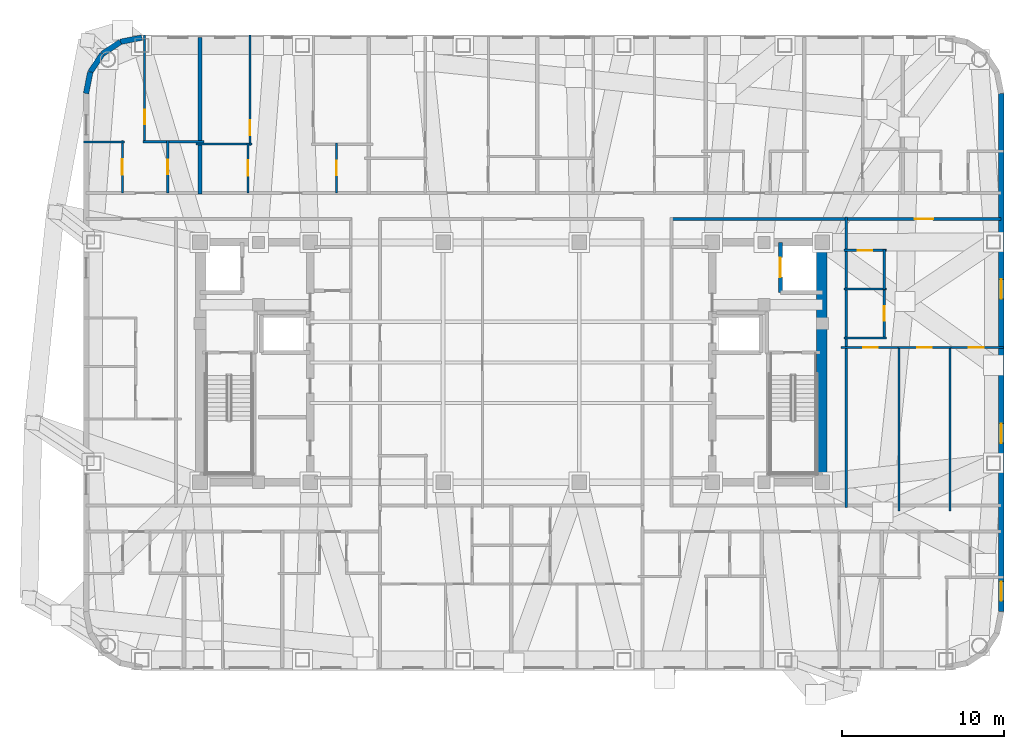
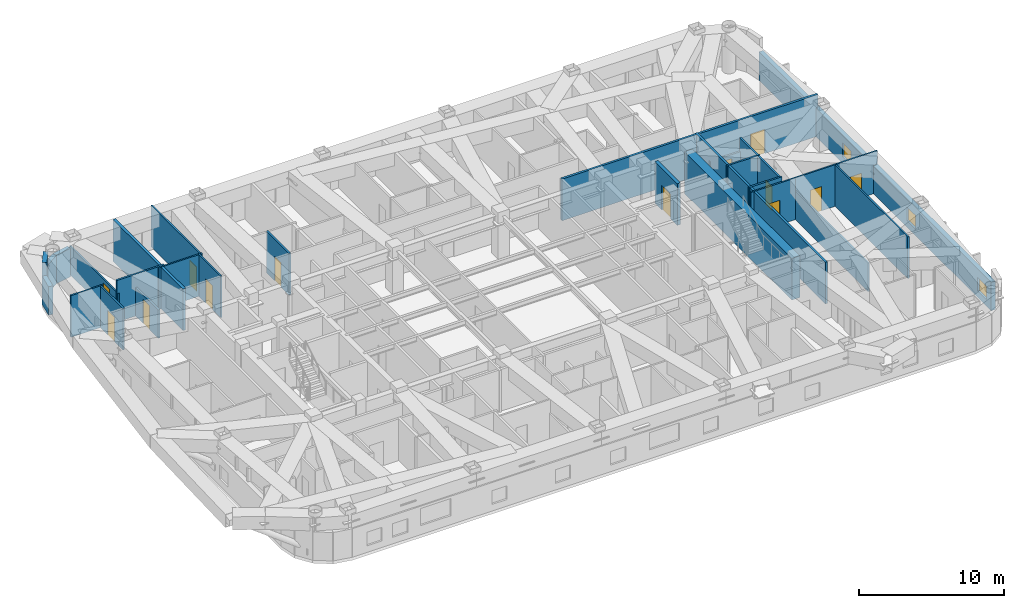
# One storey, part 8 of 12: 29 walls, 13 doors, 3 windows, 16 openings.
"""IFC4 building model written with IfcOpenShell, lengths in metres."""

from ifc_helpers import new_model, si_unit, direction, frame, frame_2d, origin, place, context, subcontext, project, spatial, rectangle, extrude, material, layer, layer_set, type_object, element, fill, save


model = new_model("IFC4")

# Units and contexts
model_context = context("Model", 3, precision=1e-05, world=origin(), true_north=direction((0.0, 1.0)))
body_context = subcontext(model_context, "Body", "Model", "MODEL_VIEW")
ifc_project = project(units=[si_unit("LENGTHUNIT", "METRE"), si_unit("AREAUNIT", "SQUARE_METRE"), si_unit("VOLUMEUNIT", "CUBIC_METRE"), si_unit("PLANEANGLEUNIT", "RADIAN"), si_unit("MASSUNIT", "GRAM", prefix="KILO")], contexts=[model_context])

# Site, building, storey
site_placement = place(None, origin())
site = spatial("IfcSite", under=ifc_project, at=site_placement, CompositionType="ELEMENT")
building_placement = place(site_placement, origin())
building = spatial("IfcBuilding", under=site, at=building_placement, Name="Voryun Gate Residences", CompositionType="ELEMENT")
storey_placement = place(building_placement, frame((0.0, 0.0, 250.89990234375)))
storey = spatial("IfcBuildingStorey", under=building, at=storey_placement, Name="L62", CompositionType="ELEMENT", Elevation=250.89990234375)

# Wall
ifc_material_1 = material(Name="Concrete C60/75", Category="concrete")
ifc_layer_1 = layer(ifc_material_1, 0.64990234375, Name="CW_CORE_650")
ifc_layer_set_1 = layer_set([ifc_layer_1], Name="Concrete C60/75")
wall_type_1 = type_object("IfcWallType", Name="CW_CORE_650", PredefinedType="SHEAR", material=ifc_layer_set_1)
wall_1_placement = place(storey_placement, frame((19.14501953125, -7.39990234375, 0.0), z_axis=(0.0, 0.0, 1.0), x_axis=(0.0, 1.0, 0.0)))
element("IfcWall", 1, at=wall_1_placement, inside=storey, type_object=wall_type_1, Name="L62 Core shear wall CW-L62-EE", PredefinedType="SHEAR", context=body_context, shape_type="SweptSolid", body=[
    extrude(rectangle(XDim=14.7998046875, YDim=0.64990234375, at=frame_2d((7.39990234375, 0.0))), origin(), (0.0, 0.0, 1.0), 3.5),
])

# Wall, opening, door
ifc_material_2 = material(Name="Gypsum acoustic fireboard")
ifc_layer_2 = layer(ifc_material_2, 0.179931640625, Name="W_CORR_RATED_180")
ifc_layer_set_2 = layer_set([ifc_layer_2], Name="Gypsum acoustic fireboard")
wall_type_2 = type_object("IfcWallType", Name="W_CORR_RATED_180", PredefinedType="PARTITIONING", material=ifc_layer_set_2)
wall_2_placement = place(storey_placement, frame((9.8798828125, 8.840087890625, 0.0), z_axis=(0.0, 0.0, 1.0), x_axis=(1.0, 0.0, 0.0)))
wall_2 = element("IfcWall", 2, at=wall_2_placement, inside=storey, type_object=wall_type_2, Name="Partition wall WP-L62-CWING-EN", PredefinedType="PARTITIONING", context=body_context, shape_type="SweptSolid", body=[
    extrude(rectangle(XDim=20.35009765625, YDim=0.179931640625, at=frame_2d((10.175048828125, 0.0))), origin(), (0.0, 0.0, 1.0), 3.5),
])
opening_1_placement = place(wall_2_placement, frame((15.0009765625, 0.0, 0.0)))
opening_1 = element("IfcOpeningElement", 3, at=opening_1_placement, cuts=wall_2, Name="Opening D-UNIT-1", PredefinedType="OPENING", context=body_context, shape_type="SweptSolid", body=[
    extrude(rectangle(XDim=1.14990234375, YDim=2.050048828125, at=frame_2d((0.574951171875, 1.02490234375))), frame((0.0, 0.099853515625, 0.0), z_axis=(0.0, -1.0, 0.0), x_axis=(1.0, 0.0, 0.0)), (0.0, 0.0, 1.0), 0.199951171875),
])
ifc_material_3 = material(Name="Armoured timber-clad fire door", Category="wood")
door_type_1 = type_object("IfcDoorType", Name="DR_UNIT_ENTRY_1150", OperationType="NOTDEFINED", PredefinedType="DOOR", material=ifc_material_3)
door_1_placement = place(opening_1_placement, origin())
door_1 = element("IfcDoor", 4, at=door_1_placement, inside=storey, type_object=door_type_1, Name="Door DR-L62-EE1N", OperationType="SINGLE_SWING_LEFT", OverallHeight=2.050048828125, OverallWidth=1.14990234375, PredefinedType="DOOR", context=body_context, shape_type="SweptSolid", body=[
    extrude(rectangle(XDim=1.14990234375, YDim=2.050048828125, at=frame_2d((0.574951171875, 1.02490234375))), frame((0.0, 0.02490234375, 0.0), z_axis=(0.0, -1.0, 0.0), x_axis=(1.0, 0.0, 0.0)), (0.0, 0.0, 1.0), 0.050048828125),
])
fill(opening_1, door_1)

# Walls
wall_3_placement = place(storey_placement, frame((20.669921875, -8.9599609375, 0.0), z_axis=(0.0, 0.0, 1.0), x_axis=(0.0, 1.0, 0.0)))
element("IfcWall", 5, at=wall_3_placement, inside=storey, type_object=wall_type_2, Name="Partition wall WP-L62-ECOR", PredefinedType="PARTITIONING", context=body_context, shape_type="SweptSolid", body=[
    extrude(rectangle(XDim=17.919921875, YDim=0.179931640625, at=frame_2d((8.9599609375, 0.0))), origin(), (0.0, 0.0, 1.0), 3.5),
])
ifc_material_4 = material(Name="Charcoal terracotta masonry", Category="masonry")
ifc_layer_3 = layer(ifc_material_4, 0.340087890625, Name="W_EXT_TERRACOTTA_340")
ifc_layer_set_3 = layer_set([ifc_layer_3], Name="Charcoal terracotta masonry")
wall_type_3 = type_object("IfcWallType", Name="W_EXT_TERRACOTTA_340", PredefinedType="ELEMENTEDWALL", material=ifc_layer_set_3)
wall_4_placement = place(storey_placement, frame((-26.22998046875, 16.583251953125, 0.0), z_axis=(0.0, 0.0, 1.0), x_axis=(0.195075878998, 0.980788153188, 0.0)))
element("IfcWall", 6, at=wall_4_placement, inside=storey, type_object=wall_type_3, Name="Exterior wall WEXT-L62-07", PredefinedType="ELEMENTEDWALL", context=body_context, shape_type="SweptSolid", body=[
    extrude(rectangle(XDim=1.354248046875, YDim=0.340087890625, at=frame_2d((0.67724609375, 0.0))), origin(), (0.0, 0.0, 1.0), 2.39013671875),
])
wall_5_placement = place(storey_placement, frame((-25.9658203125, 17.911376953125, 0.0), z_axis=(0.0, 0.0, 1.0), x_axis=(0.555669034571, 0.831403586725, 0.0)))
element("IfcWall", 7, at=wall_5_placement, inside=storey, type_object=wall_type_3, Name="Exterior wall WEXT-L62-08", PredefinedType="ELEMENTEDWALL", context=body_context, shape_type="SweptSolid", body=[
    extrude(rectangle(XDim=1.3369140625, YDim=0.340087890625, at=frame_2d((0.66845703125, 0.0))), origin(), (0.0, 0.0, 1.0), 3.5),
])
wall_6_placement = place(storey_placement, frame((-25.222900390625, 19.02294921875, 0.0), z_axis=(0.0, 0.0, 1.0), x_axis=(0.831403586725, 0.555669034571, 0.0)))
element("IfcWall", 8, at=wall_6_placement, inside=storey, type_object=wall_type_3, Name="Exterior wall WEXT-L62-09", PredefinedType="ELEMENTEDWALL", context=body_context, shape_type="SweptSolid", body=[
    extrude(rectangle(XDim=1.3369140625, YDim=0.340087890625, at=frame_2d((0.66845703125, 0.0))), origin(), (0.0, 0.0, 1.0), 2.39013671875),
])
wall_7_placement = place(storey_placement, frame((-24.111328125, 19.765869140625, 0.0), z_axis=(0.0, 0.0, 1.0), x_axis=(0.980788153188, 0.195075878998, 0.0)))
element("IfcWall", 9, at=wall_7_placement, inside=storey, type_object=wall_type_3, Name="Exterior wall WEXT-L62-10", PredefinedType="ELEMENTEDWALL", context=body_context, shape_type="SweptSolid", body=[
    extrude(rectangle(XDim=1.354248046875, YDim=0.340087890625, at=frame_2d((0.67724609375, 0.0))), origin(), (0.0, 0.0, 1.0), 2.39013671875),
])

# Wall, openings, windows
wall_8_placement = place(storey_placement, frame((30.22998046875, 16.583251953125, 0.0), z_axis=(0.0, 0.0, 1.0), x_axis=(0.0, -1.0, 0.0)))
wall_8 = element("IfcWall", 10, at=wall_8_placement, inside=storey, type_object=wall_type_3, Name="Exterior wall WEXT-L62-16", PredefinedType="ELEMENTEDWALL", context=body_context, shape_type="SweptSolid", body=[
    extrude(rectangle(XDim=31.966552734375, YDim=0.340087890625, at=frame_2d((15.9833984375, 0.0))), origin(), (0.0, 0.0, 1.0), 2.39013671875),
])
opening_2_placement = place(wall_8_placement, frame((30.1064453125, 0.0, 0.550048828125)))
opening_2 = element("IfcOpeningElement", 11, at=opening_2_placement, cuts=wall_8, Name="Opening WN6", PredefinedType="OPENING", context=body_context, shape_type="SweptSolid", body=[
    extrude(rectangle(XDim=1.199951171875, YDim=1.14990234375, at=frame_2d((0.60009765625, 0.574951171875))), frame((0.0, 0.179931640625, 0.0), z_axis=(0.0, -1.0, 0.0), x_axis=(1.0, 0.0, 0.0)), (0.0, 0.0, 1.0), 0.360107421875),
])
opening_3_placement = place(wall_8_placement, frame((11.46337890625, 0.0, 0.550048828125)))
opening_3 = element("IfcOpeningElement", 12, at=opening_3_placement, cuts=wall_8, Name="Opening WN6", PredefinedType="OPENING", context=body_context, shape_type="SweptSolid", body=[
    extrude(rectangle(XDim=1.199951171875, YDim=1.14990234375, at=frame_2d((0.60009765625, 0.574951171875))), frame((0.0, 0.179931640625, 0.0), z_axis=(0.0, -1.0, 0.0), x_axis=(1.0, 0.0, 0.0)), (0.0, 0.0, 1.0), 0.360107421875),
])
opening_4_placement = place(wall_8_placement, frame((20.36328125, 0.0, 0.550048828125)))
opening_4 = element("IfcOpeningElement", 13, at=opening_4_placement, cuts=wall_8, Name="Opening WN6", PredefinedType="OPENING", context=body_context, shape_type="SweptSolid", body=[
    extrude(rectangle(XDim=1.199951171875, YDim=1.14990234375, at=frame_2d((0.60009765625, 0.574951171875))), frame((0.0, 0.179931640625, 0.0), z_axis=(0.0, -1.0, 0.0), x_axis=(1.0, 0.0, 0.0)), (0.0, 0.0, 1.0), 0.360107421875),
])
ifc_material_5 = material(Name="Laminated low-E glass", Category="glass")
window_type = type_object("IfcWindowType", Name="WN_POD_SLOT_1200", PartitioningType="SINGLE_PANEL", PredefinedType="WINDOW", material=ifc_material_5)
window_1_placement = place(opening_2_placement, origin())
window_1 = element("IfcWindow", 14, at=window_1_placement, inside=storey, type_object=window_type, Name="Window WN-L62-DWFIX-22", OverallHeight=1.14990234375, OverallWidth=1.199951171875, PartitioningType="SINGLE_PANEL", PredefinedType="WINDOW", context=body_context, shape_type="SweptSolid", body=[
    extrude(rectangle(XDim=1.199951171875, YDim=1.14990234375, at=frame_2d((0.60009765625, 0.574951171875))), frame((0.0, 0.030029296875, 0.0), z_axis=(0.0, -1.0, 0.0), x_axis=(1.0, 0.0, 0.0)), (0.0, 0.0, 1.0), 0.06005859375),
])
fill(opening_2, window_1)
window_2_placement = place(opening_3_placement, origin())
window_2 = element("IfcWindow", 15, at=window_2_placement, inside=storey, type_object=window_type, Name="Window WN-L62-DWFIX-28", OverallHeight=1.14990234375, OverallWidth=1.199951171875, PartitioningType="SINGLE_PANEL", PredefinedType="WINDOW", context=body_context, shape_type="SweptSolid", body=[
    extrude(rectangle(XDim=1.199951171875, YDim=1.14990234375, at=frame_2d((0.60009765625, 0.574951171875))), frame((0.0, 0.030029296875, 0.0), z_axis=(0.0, -1.0, 0.0), x_axis=(1.0, 0.0, 0.0)), (0.0, 0.0, 1.0), 0.06005859375),
])
fill(opening_3, window_2)
window_3_placement = place(opening_4_placement, origin())
window_3 = element("IfcWindow", 16, at=window_3_placement, inside=storey, type_object=window_type, Name="Window WN-L62-DWFIX-29", OverallHeight=1.14990234375, OverallWidth=1.199951171875, PartitioningType="SINGLE_PANEL", PredefinedType="WINDOW", context=body_context, shape_type="SweptSolid", body=[
    extrude(rectangle(XDim=1.199951171875, YDim=1.14990234375, at=frame_2d((0.60009765625, 0.574951171875))), frame((0.0, 0.030029296875, 0.0), z_axis=(0.0, -1.0, 0.0), x_axis=(1.0, 0.0, 0.0)), (0.0, 0.0, 1.0), 0.06005859375),
])
fill(opening_4, window_3)

# Wall
ifc_material_6 = material(Name="Concrete C40/50", Category="concrete")
ifc_layer_4 = layer(ifc_material_6, 0.219970703125, Name="W_PARTY_ACOUSTIC_220")
ifc_layer_set_4 = layer_set([ifc_layer_4], Name="Concrete C40/50")
wall_type_4 = type_object("IfcWallType", Name="W_PARTY_ACOUSTIC_220", PredefinedType="PARTITIONING", material=ifc_layer_set_4)
wall_9_placement = place(storey_placement, frame((-19.199951171875, 10.3701171875, 0.0), z_axis=(0.0, 0.0, 1.0), x_axis=(0.0, 1.0, 0.0)))
element("IfcWall", 17, at=wall_9_placement, inside=storey, type_object=wall_type_4, Name="Partition wall WP-L62-NPTY-1", PredefinedType="PARTITIONING", context=body_context, shape_type="SweptSolid", body=[
    extrude(rectangle(XDim=9.659912109375, YDim=0.219970703125, at=frame_2d((4.830078125, 0.0))), origin(), (0.0, 0.0, 1.0), 3.5),
])

# Wall, opening, door
ifc_material_7 = material(Name="Concrete C50/60", Category="concrete")
ifc_layer_5 = layer(ifc_material_7, 0.25, Name="W_SHAFT_RC250")
ifc_layer_set_5 = layer_set([ifc_layer_5], Name="Concrete C50/60")
wall_type_5 = type_object("IfcWallType", Name="W_SHAFT_RC250", PredefinedType="SOLIDWALL", material=ifc_layer_set_5)
wall_10_placement = place(storey_placement, frame((16.60009765625, 7.39990234375, 0.0), z_axis=(0.0, 0.0, 1.0), x_axis=(0.0, -1.0, 0.0)))
wall_10 = element("IfcWall", 18, at=wall_10_placement, inside=storey, type_object=wall_type_5, Name="Lift shaft wall WSH-L62-EL-FF-E1-W", PredefinedType="SOLIDWALL", context=body_context, shape_type="SweptSolid", body=[
    extrude(rectangle(XDim=3.099853515625, YDim=0.25, at=frame_2d((1.5498046875, 0.0))), origin(), (0.0, 0.0, 1.0), 3.5),
])
opening_5_placement = place(wall_10_placement, frame((0.949951171875, 0.0, 0.0)))
opening_5 = element("IfcOpeningElement", 19, at=opening_5_placement, cuts=wall_10, Name="Opening LD1", PredefinedType="OPENING", context=body_context, shape_type="SweptSolid", body=[
    extrude(rectangle(XDim=1.199951171875, YDim=2.050048828125, at=frame_2d((0.60009765625, 1.02490234375))), frame((0.0, 0.135009765625, 0.0), z_axis=(0.0, -1.0, 0.0), x_axis=(1.0, 0.0, 0.0)), (0.0, 0.0, 1.0), 0.27001953125),
])
ifc_material_8 = material(Name="Anodised aluminium", Category="aluminium")
door_type_2 = type_object("IfcDoorType", Name="DR_LD_FF_1200", OperationType="NOTDEFINED", PredefinedType="DOOR", material=ifc_material_8)
door_2_placement = place(opening_5_placement, origin())
door_2 = element("IfcDoor", 20, at=door_2_placement, inside=storey, type_object=door_type_2, Name="Lift EL-FF-E1 sliding landing door L62", OperationType="SLIDING_TO_LEFT", OverallHeight=2.050048828125, OverallWidth=1.199951171875, PredefinedType="DOOR", context=body_context, shape_type="SweptSolid", body=[
    extrude(rectangle(XDim=1.199951171875, YDim=2.050048828125, at=frame_2d((0.60009765625, 1.02490234375))), frame((0.0, 0.02490234375, 0.0), z_axis=(0.0, -1.0, 0.0), x_axis=(1.0, 0.0, 0.0)), (0.0, 0.0, 1.0), 0.050048828125),
])
fill(opening_5, door_2)

ifc_material_9 = material(Name="Gypsum acoustic partition")
ifc_layer_6 = layer(ifc_material_9, 0.125, Name="W_UNIT_PART_125")
ifc_layer_set_6 = layer_set([ifc_layer_6], Name="Gypsum acoustic partition")
wall_type_6 = type_object("IfcWallType", Name="W_UNIT_PART_125", PredefinedType="PARTITIONING", material=ifc_layer_set_6)
wall_11_placement = place(storey_placement, frame((-22.610107421875, 13.52294921875, 0.0), z_axis=(0.0, 0.0, 1.0), x_axis=(0.0, 1.0, 0.0)))
wall_11 = element("IfcWall", 21, at=wall_11_placement, inside=storey, type_object=wall_type_6, Name="Partition wall WP-L62-N1-OVR", PredefinedType="PARTITIONING", context=body_context, shape_type="SweptSolid", body=[
    extrude(rectangle(XDim=6.656982421875, YDim=0.125, at=frame_2d((3.32861328125, 0.0))), origin(), (0.0, 0.0, 1.0), 2.39013671875),
])
opening_6_placement = place(wall_11_placement, frame((1.147705078125, 0.0, 0.0)))
opening_6 = element("IfcOpeningElement", 22, at=opening_6_placement, cuts=wall_11, Name="Opening D-INT-2", PredefinedType="OPENING", context=body_context, shape_type="SweptSolid", body=[
    extrude(rectangle(XDim=0.89990234375, YDim=2.050048828125, at=frame_2d((0.449951171875, 1.02490234375))), frame((0.0, 0.072509765625, 0.0), z_axis=(0.0, -1.0, 0.0), x_axis=(1.0, 0.0, 0.0)), (0.0, 0.0, 1.0), 0.14501953125),
])
ifc_material_10 = material(Name="Architectural oak veneer")
door_type_3 = type_object("IfcDoorType", Name="DR_INT_BATH_900", OperationType="NOTDEFINED", PredefinedType="DOOR", material=ifc_material_10)
door_3_placement = place(opening_6_placement, origin())
door_3 = element("IfcDoor", 23, at=door_3_placement, inside=storey, type_object=door_type_3, Name="Door DR-L62-N1-DMB", OperationType="SINGLE_SWING_RIGHT", OverallHeight=2.050048828125, OverallWidth=0.89990234375, PredefinedType="DOOR", context=body_context, shape_type="SweptSolid", body=[
    extrude(rectangle(XDim=0.89990234375, YDim=2.050048828125, at=frame_2d((0.449951171875, 1.02490234375))), frame((0.0, 0.02490234375, 0.0), z_axis=(0.0, -1.0, 0.0), x_axis=(1.0, 0.0, 0.0)), (0.0, 0.0, 1.0), 0.050048828125),
])
fill(opening_6, door_3)

wall_12_placement = place(storey_placement, frame((-23.987060546875, 10.429931640625, 0.0), z_axis=(0.0, 0.0, 1.0), x_axis=(0.0, 1.0, 0.0)))
wall_12 = element("IfcWall", 24, at=wall_12_placement, inside=storey, type_object=wall_type_6, Name="Partition wall WP-L62-N1-IVK", PredefinedType="PARTITIONING", context=body_context, shape_type="SweptSolid", body=[
    extrude(rectangle(XDim=3.253173828125, YDim=0.125, at=frame_2d((1.62646484375, 0.0))), origin(), (0.0, 0.0, 1.0), 3.5),
])
opening_7_placement = place(wall_12_placement, frame((1.151611328125, 0.0, 0.0)))
opening_7 = element("IfcOpeningElement", 25, at=opening_7_placement, cuts=wall_12, Name="Opening D-INT-1", PredefinedType="OPENING", context=body_context, shape_type="SweptSolid", body=[
    extrude(rectangle(XDim=0.949951171875, YDim=2.050048828125, at=frame_2d((0.47509765625, 1.02490234375))), frame((0.0, 0.072509765625, 0.0), z_axis=(0.0, -1.0, 0.0), x_axis=(1.0, 0.0, 0.0)), (0.0, 0.0, 1.0), 0.14501953125),
])
ifc_material_11 = material(Name="Architectural oak veneer")
door_type_4 = type_object("IfcDoorType", Name="DR_INT_ROOM_950", OperationType="NOTDEFINED", PredefinedType="DOOR", material=ifc_material_11)
door_4_placement = place(opening_7_placement, origin())
door_4 = element("IfcDoor", 26, at=door_4_placement, inside=storey, type_object=door_type_4, Name="Door DR-L62-N1-DK", OperationType="SINGLE_SWING_LEFT", OverallHeight=2.050048828125, OverallWidth=0.949951171875, PredefinedType="DOOR", context=body_context, shape_type="SweptSolid", body=[
    extrude(rectangle(XDim=0.949951171875, YDim=2.050048828125, at=frame_2d((0.47509765625, 1.02490234375))), frame((0.0, 0.02490234375, 0.0), z_axis=(0.0, -1.0, 0.0), x_axis=(1.0, 0.0, 0.0)), (0.0, 0.0, 1.0), 0.050048828125),
])
fill(opening_7, door_4)

# Wall
wall_13_placement = place(storey_placement, frame((-26.3798828125, 13.60302734375, 0.0), z_axis=(0.0, 0.0, 1.0), x_axis=(1.0, 0.0, 0.0)))
element("IfcWall", 27, at=wall_13_placement, inside=storey, type_object=wall_type_6, Name="Partition wall WP-L62-N1-HZK", PredefinedType="PARTITIONING", context=body_context, shape_type="SweptSolid", body=[
    extrude(rectangle(XDim=2.512939453125, YDim=0.125, at=frame_2d((1.25634765625, 0.0))), origin(), (0.0, 0.0, 1.0), 3.5),
])

# Wall, opening, door
wall_14_placement = place(storey_placement, frame((-16.117919921875, 13.3798828125, 0.0), z_axis=(0.0, 0.0, 1.0), x_axis=(0.0, 1.0, 0.0)))
wall_14 = element("IfcWall", 28, at=wall_14_placement, inside=storey, type_object=wall_type_6, Name="Partition wall WP-L62-N2-OVL", PredefinedType="PARTITIONING", context=body_context, shape_type="SweptSolid", body=[
    extrude(rectangle(XDim=6.800048828125, YDim=0.125, at=frame_2d((3.39990234375, 0.0))), origin(), (0.0, 0.0, 1.0), 3.5),
])
opening_8_placement = place(wall_14_placement, frame((0.613037109375, 0.0, 0.0)))
opening_8 = element("IfcOpeningElement", 29, at=opening_8_placement, cuts=wall_14, Name="Opening D-INT-1", PredefinedType="OPENING", context=body_context, shape_type="SweptSolid", body=[
    extrude(rectangle(XDim=0.949951171875, YDim=2.050048828125, at=frame_2d((0.47509765625, 1.02490234375))), frame((0.0, 0.072509765625, 0.0), z_axis=(0.0, -1.0, 0.0), x_axis=(1.0, 0.0, 0.0)), (0.0, 0.0, 1.0), 0.14501953125),
])
door_5_placement = place(opening_8_placement, origin())
door_5 = element("IfcDoor", 30, at=door_5_placement, inside=storey, type_object=door_type_4, Name="Door DR-L62-N2-DB2", OperationType="SINGLE_SWING_LEFT", OverallHeight=2.050048828125, OverallWidth=0.949951171875, PredefinedType="DOOR", context=body_context, shape_type="SweptSolid", body=[
    extrude(rectangle(XDim=0.949951171875, YDim=2.050048828125, at=frame_2d((0.47509765625, 1.02490234375))), frame((0.0, 0.02490234375, 0.0), z_axis=(0.0, -1.0, 0.0), x_axis=(1.0, 0.0, 0.0)), (0.0, 0.0, 1.0), 0.050048828125),
])
fill(opening_8, door_5)

wall_15_placement = place(storey_placement, frame((-16.240966796875, 10.429931640625, 0.0), z_axis=(0.0, 0.0, 1.0), x_axis=(0.0, 1.0, 0.0)))
wall_15 = element("IfcWall", 31, at=wall_15_placement, inside=storey, type_object=wall_type_6, Name="Partition wall WP-L62-N2-IVK", PredefinedType="PARTITIONING", context=body_context, shape_type="SweptSolid", body=[
    extrude(rectangle(XDim=3.110107421875, YDim=0.125, at=frame_2d((1.55517578125, 0.0))), origin(), (0.0, 0.0, 1.0), 3.5),
])
opening_9_placement = place(wall_15_placement, frame((1.080078125, 0.0, 0.0)))
opening_9 = element("IfcOpeningElement", 32, at=opening_9_placement, cuts=wall_15, Name="Opening D-INT-1", PredefinedType="OPENING", context=body_context, shape_type="SweptSolid", body=[
    extrude(rectangle(XDim=0.949951171875, YDim=2.050048828125, at=frame_2d((0.47509765625, 1.02490234375))), frame((0.0, 0.072509765625, 0.0), z_axis=(0.0, -1.0, 0.0), x_axis=(1.0, 0.0, 0.0)), (0.0, 0.0, 1.0), 0.14501953125),
])
door_6_placement = place(opening_9_placement, origin())
door_6 = element("IfcDoor", 33, at=door_6_placement, inside=storey, type_object=door_type_4, Name="Door DR-L62-N2-DK", OperationType="SINGLE_SWING_LEFT", OverallHeight=2.050048828125, OverallWidth=0.949951171875, PredefinedType="DOOR", context=body_context, shape_type="SweptSolid", body=[
    extrude(rectangle(XDim=0.949951171875, YDim=2.050048828125, at=frame_2d((0.47509765625, 1.02490234375))), frame((0.0, 0.02490234375, 0.0), z_axis=(0.0, -1.0, 0.0), x_axis=(1.0, 0.0, 0.0)), (0.0, 0.0, 1.0), 0.050048828125),
])
fill(opening_9, door_6)

# Wall
wall_16_placement = place(storey_placement, frame((-19.4599609375, 13.4599609375, 0.0), z_axis=(0.0, 0.0, 1.0), x_axis=(1.0, 0.0, 0.0)))
element("IfcWall", 34, at=wall_16_placement, inside=storey, type_object=wall_type_6, Name="Partition wall WP-L62-N2-HZK", PredefinedType="PARTITIONING", context=body_context, shape_type="SweptSolid", body=[
    extrude(rectangle(XDim=3.4619140625, YDim=0.125, at=frame_2d((1.73095703125, 0.0))), origin(), (0.0, 0.0, 1.0), 3.5),
])

# Wall, opening, door
wall_17_placement = place(storey_placement, frame((20.35009765625, 0.909912109375, 0.0), z_axis=(0.0, 0.0, 1.0), x_axis=(1.0, 0.0, 0.0)))
wall_17 = element("IfcWall", 35, at=wall_17_placement, inside=storey, type_object=wall_type_6, Name="Partition wall WP-L62-E1-HZMB1", PredefinedType="PARTITIONING", context=body_context, shape_type="SweptSolid", body=[
    extrude(rectangle(XDim=3.635498046875, YDim=0.125, at=frame_2d((1.81787109375, 0.0))), origin(), (0.0, 0.0, 1.0), 3.5),
])
opening_10_placement = place(wall_17_placement, frame((1.37646484375, 0.0, 0.0)))
opening_10 = element("IfcOpeningElement", 36, at=opening_10_placement, cuts=wall_17, Name="Opening D-INT-2", PredefinedType="OPENING", context=body_context, shape_type="SweptSolid", body=[
    extrude(rectangle(XDim=0.89990234375, YDim=2.050048828125, at=frame_2d((0.449951171875, 1.02490234375))), frame((0.0, 0.072509765625, 0.0), z_axis=(0.0, -1.0, 0.0), x_axis=(1.0, 0.0, 0.0)), (0.0, 0.0, 1.0), 0.14501953125),
])
door_7_placement = place(opening_10_placement, origin())
door_7 = element("IfcDoor", 37, at=door_7_placement, inside=storey, type_object=door_type_3, Name="Door DR-L62-E1-DMB", OperationType="SINGLE_SWING_LEFT", OverallHeight=2.050048828125, OverallWidth=0.89990234375, PredefinedType="DOOR", context=body_context, shape_type="SweptSolid", body=[
    extrude(rectangle(XDim=0.89990234375, YDim=2.050048828125, at=frame_2d((0.449951171875, 1.02490234375))), frame((0.0, 0.02490234375, 0.0), z_axis=(0.0, -1.0, 0.0), x_axis=(1.0, 0.0, 0.0)), (0.0, 0.0, 1.0), 0.050048828125),
])
fill(opening_10, door_7)

wall_18_placement = place(storey_placement, frame((23.860595703125, 0.909912109375, 0.0), z_axis=(0.0, 0.0, 1.0), x_axis=(1.0, 0.0, 0.0)))
wall_18 = element("IfcWall", 38, at=wall_18_placement, inside=storey, type_object=wall_type_6, Name="Partition wall WP-L62-E1-HZMB2", PredefinedType="PARTITIONING", context=body_context, shape_type="SweptSolid", body=[
    extrude(rectangle(XDim=3.281982421875, YDim=0.125, at=frame_2d((1.64111328125, 0.0))), origin(), (0.0, 0.0, 1.0), 3.5),
])
opening_11_placement = place(wall_18_placement, frame((1.19091796875, 0.0, 0.0)))
opening_11 = element("IfcOpeningElement", 39, at=opening_11_placement, cuts=wall_18, Name="Opening D-INT-2", PredefinedType="OPENING", context=body_context, shape_type="SweptSolid", body=[
    extrude(rectangle(XDim=0.89990234375, YDim=2.050048828125, at=frame_2d((0.449951171875, 1.02490234375))), frame((0.0, 0.072509765625, 0.0), z_axis=(0.0, -1.0, 0.0), x_axis=(1.0, 0.0, 0.0)), (0.0, 0.0, 1.0), 0.14501953125),
])
door_8_placement = place(opening_11_placement, origin())
door_8 = element("IfcDoor", 40, at=door_8_placement, inside=storey, type_object=door_type_3, Name="Door DR-L62-E1-DBD2", OperationType="SINGLE_SWING_RIGHT", OverallHeight=2.050048828125, OverallWidth=0.89990234375, PredefinedType="DOOR", context=body_context, shape_type="SweptSolid", body=[
    extrude(rectangle(XDim=0.89990234375, YDim=2.050048828125, at=frame_2d((0.449951171875, 1.02490234375))), frame((0.0, 0.02490234375, 0.0), z_axis=(0.0, -1.0, 0.0), x_axis=(1.0, 0.0, 0.0)), (0.0, 0.0, 1.0), 0.050048828125),
])
fill(opening_11, door_8)

wall_19_placement = place(storey_placement, frame((27.017578125, 0.909912109375, 0.0), z_axis=(0.0, 0.0, 1.0), x_axis=(1.0, 0.0, 0.0)))
wall_19 = element("IfcWall", 41, at=wall_19_placement, inside=storey, type_object=wall_type_6, Name="Partition wall WP-L62-E1-HZMB3", PredefinedType="PARTITIONING", context=body_context, shape_type="SweptSolid", body=[
    extrude(rectangle(XDim=3.3623046875, YDim=0.125, at=frame_2d((1.68115234375, 0.0))), origin(), (0.0, 0.0, 1.0), 3.5),
])
opening_12_placement = place(wall_19_placement, frame((1.222412109375, 0.0, 0.0)))
opening_12 = element("IfcOpeningElement", 42, at=opening_12_placement, cuts=wall_19, Name="Opening D-INT-2", PredefinedType="OPENING", context=body_context, shape_type="SweptSolid", body=[
    extrude(rectangle(XDim=0.89990234375, YDim=2.050048828125, at=frame_2d((0.449951171875, 1.02490234375))), frame((0.0, 0.072509765625, 0.0), z_axis=(0.0, -1.0, 0.0), x_axis=(1.0, 0.0, 0.0)), (0.0, 0.0, 1.0), 0.14501953125),
])
door_9_placement = place(opening_12_placement, origin())
door_9 = element("IfcDoor", 43, at=door_9_placement, inside=storey, type_object=door_type_3, Name="Door DR-L62-E1-DBD3", OperationType="SINGLE_SWING_LEFT", OverallHeight=2.050048828125, OverallWidth=0.89990234375, PredefinedType="DOOR", context=body_context, shape_type="SweptSolid", body=[
    extrude(rectangle(XDim=0.89990234375, YDim=2.050048828125, at=frame_2d((0.449951171875, 1.02490234375))), frame((0.0, 0.02490234375, 0.0), z_axis=(0.0, -1.0, 0.0), x_axis=(1.0, 0.0, 0.0)), (0.0, 0.0, 1.0), 0.050048828125),
])
fill(opening_12, door_9)

# Walls
wall_20_placement = place(storey_placement, frame((27.080078125, -9.159912109375, 0.0), z_axis=(0.0, 0.0, 1.0), x_axis=(0.0, 1.0, 0.0)))
element("IfcWall", 44, at=wall_20_placement, inside=storey, type_object=wall_type_6, Name="Partition wall WP-L62-E1-VMB2", PredefinedType="PARTITIONING", context=body_context, shape_type="SweptSolid", body=[
    extrude(rectangle(XDim=10.1298828125, YDim=0.125, at=frame_2d((5.06494140625, 0.0))), origin(), (0.0, 0.0, 1.0), 3.5),
])
wall_21_placement = place(storey_placement, frame((23.923095703125, -9.159912109375, 0.0), z_axis=(0.0, 0.0, 1.0), x_axis=(0.0, 1.0, 0.0)))
element("IfcWall", 45, at=wall_21_placement, inside=storey, type_object=wall_type_6, Name="Partition wall WP-L62-E1-VMB", PredefinedType="PARTITIONING", context=body_context, shape_type="SweptSolid", body=[
    extrude(rectangle(XDim=10.1298828125, YDim=0.125, at=frame_2d((5.06494140625, 0.0))), origin(), (0.0, 0.0, 1.0), 2.39013671875),
])
ifc_material_12 = material(Name="Gypsum moisture-resistant partition")
ifc_layer_7 = layer(ifc_material_12, 0.14990234375, Name="W_WET_PLUMB_150")
ifc_layer_set_7 = layer_set([ifc_layer_7], Name="Gypsum moisture-resistant partition")
wall_type_7 = type_object("IfcWallType", Name="W_WET_PLUMB_150", PredefinedType="PLUMBINGWALL", material=ifc_layer_set_7)
wall_22_placement = place(storey_placement, frame((-22.72998046875, 13.60302734375, 0.0), z_axis=(0.0, 0.0, 1.0), x_axis=(1.0, 0.0, 0.0)))
element("IfcWall", 46, at=wall_22_placement, inside=storey, type_object=wall_type_7, Name="Partition wall WP-L62-N1-HZB", PredefinedType="PLUMBINGWALL", context=body_context, shape_type="SweptSolid", body=[
    extrude(rectangle(XDim=3.7900390625, YDim=0.14990234375, at=frame_2d((1.89501953125, 0.0))), origin(), (0.0, 0.0, 1.0), 3.5),
])

# Wall, opening, door
wall_23_placement = place(storey_placement, frame((-21.179931640625, 10.429931640625, 0.0), z_axis=(0.0, 0.0, 1.0), x_axis=(0.0, 1.0, 0.0)))
wall_23 = element("IfcWall", 47, at=wall_23_placement, inside=storey, type_object=wall_type_7, Name="Partition wall WP-L62-N1-IVB", PredefinedType="PLUMBINGWALL", context=body_context, shape_type="SweptSolid", body=[
    extrude(rectangle(XDim=3.253173828125, YDim=0.14990234375, at=frame_2d((1.62646484375, 0.0))), origin(), (0.0, 0.0, 1.0), 2.39013671875),
])
opening_13_placement = place(wall_23_placement, frame((1.176513671875, 0.0, 0.0)))
opening_13 = element("IfcOpeningElement", 48, at=opening_13_placement, cuts=wall_23, Name="Opening D-INT-2", PredefinedType="OPENING", context=body_context, shape_type="SweptSolid", body=[
    extrude(rectangle(XDim=0.89990234375, YDim=2.050048828125, at=frame_2d((0.449951171875, 1.02490234375))), frame((0.0, 0.0849609375, 0.0), z_axis=(0.0, -1.0, 0.0), x_axis=(1.0, 0.0, 0.0)), (0.0, 0.0, 1.0), 0.169921875),
])
door_10_placement = place(opening_13_placement, origin())
door_10 = element("IfcDoor", 49, at=door_10_placement, inside=storey, type_object=door_type_3, Name="Door DR-L62-N1-DB", OperationType="SINGLE_SWING_RIGHT", OverallHeight=2.050048828125, OverallWidth=0.89990234375, PredefinedType="DOOR", context=body_context, shape_type="SweptSolid", body=[
    extrude(rectangle(XDim=0.89990234375, YDim=2.050048828125, at=frame_2d((0.449951171875, 1.02490234375))), frame((0.0, 0.02490234375, 0.0), z_axis=(0.0, -1.0, 0.0), x_axis=(1.0, 0.0, 0.0)), (0.0, 0.0, 1.0), 0.050048828125),
])
fill(opening_13, door_10)

wall_24_placement = place(storey_placement, frame((-10.780029296875, 10.429931640625, 0.0), z_axis=(0.0, 0.0, 1.0), x_axis=(0.0, 1.0, 0.0)))
wall_24 = element("IfcWall", 50, at=wall_24_placement, inside=storey, type_object=wall_type_7, Name="Partition wall WP-L62-N2-IVB", PredefinedType="PLUMBINGWALL", context=body_context, shape_type="SweptSolid", body=[
    extrude(rectangle(XDim=3.110107421875, YDim=0.14990234375, at=frame_2d((1.55517578125, 0.0))), origin(), (0.0, 0.0, 1.0), 3.5),
])
opening_14_placement = place(wall_24_placement, frame((1.10498046875, 0.0, 0.0)))
opening_14 = element("IfcOpeningElement", 51, at=opening_14_placement, cuts=wall_24, Name="Opening D-INT-2", PredefinedType="OPENING", context=body_context, shape_type="SweptSolid", body=[
    extrude(rectangle(XDim=0.89990234375, YDim=2.050048828125, at=frame_2d((0.449951171875, 1.02490234375))), frame((0.0, 0.0849609375, 0.0), z_axis=(0.0, -1.0, 0.0), x_axis=(1.0, 0.0, 0.0)), (0.0, 0.0, 1.0), 0.169921875),
])
door_11_placement = place(opening_14_placement, origin())
door_11 = element("IfcDoor", 52, at=door_11_placement, inside=storey, type_object=door_type_3, Name="Door DR-L62-N2-DB", OperationType="SINGLE_SWING_RIGHT", OverallHeight=2.050048828125, OverallWidth=0.89990234375, PredefinedType="DOOR", context=body_context, shape_type="SweptSolid", body=[
    extrude(rectangle(XDim=0.89990234375, YDim=2.050048828125, at=frame_2d((0.449951171875, 1.02490234375))), frame((0.0, 0.02490234375, 0.0), z_axis=(0.0, -1.0, 0.0), x_axis=(1.0, 0.0, 0.0)), (0.0, 0.0, 1.0), 0.050048828125),
])
fill(opening_14, door_11)

wall_25_placement = place(storey_placement, frame((20.52001953125, 6.89990234375, 0.0), z_axis=(0.0, 0.0, 1.0), x_axis=(1.0, 0.0, 0.0)))
wall_25 = element("IfcWall", 53, at=wall_25_placement, inside=storey, type_object=wall_type_7, Name="Partition wall WP-L62-E1-IBT", PredefinedType="PLUMBINGWALL", context=body_context, shape_type="SweptSolid", body=[
    extrude(rectangle(XDim=2.619873046875, YDim=0.14990234375, at=frame_2d((1.31005859375, 0.0))), origin(), (0.0, 0.0, 1.0), 2.39013671875),
])
opening_15_placement = place(wall_25_placement, frame((0.860107421875, 0.0, 0.0)))
opening_15 = element("IfcOpeningElement", 54, at=opening_15_placement, cuts=wall_25, Name="Opening D-INT-2", PredefinedType="OPENING", context=body_context, shape_type="SweptSolid", body=[
    extrude(rectangle(XDim=0.89990234375, YDim=2.050048828125, at=frame_2d((0.449951171875, 1.02490234375))), frame((0.0, 0.0849609375, 0.0), z_axis=(0.0, -1.0, 0.0), x_axis=(1.0, 0.0, 0.0)), (0.0, 0.0, 1.0), 0.169921875),
])
door_12_placement = place(opening_15_placement, origin())
door_12 = element("IfcDoor", 55, at=door_12_placement, inside=storey, type_object=door_type_3, Name="Door DR-L62-E1-DK", OperationType="SINGLE_SWING_LEFT", OverallHeight=2.050048828125, OverallWidth=0.89990234375, PredefinedType="DOOR", context=body_context, shape_type="SweptSolid", body=[
    extrude(rectangle(XDim=0.89990234375, YDim=2.050048828125, at=frame_2d((0.449951171875, 1.02490234375))), frame((0.0, 0.02490234375, 0.0), z_axis=(0.0, -1.0, 0.0), x_axis=(1.0, 0.0, 0.0)), (0.0, 0.0, 1.0), 0.050048828125),
])
fill(opening_15, door_12)

# Walls
for number, where, z_axis, x_axis, name in (
    (56, (20.52001953125, 4.52001953125, 0.0), (0.0, 0.0, 1.0), (1.0, 0.0, 0.0), "Partition wall WP-L62-E1-IKB"),
    (57, (20.52001953125, 1.5, 0.0), (0.0, 0.0, 1.0), (1.0, 0.0, 0.0), "Partition wall WP-L62-E1-IBB"),
):
    element("IfcWall", number, at=place(storey_placement, frame(where, z_axis=z_axis, x_axis=x_axis)), inside=storey, type_object=wall_type_7, Name=name, PredefinedType="PLUMBINGWALL", context=body_context, shape_type="SweptSolid", body=[
        extrude(rectangle(XDim=2.619873046875, YDim=0.14990234375, at=frame_2d((1.31005859375, 0.0))), origin(), (0.0, 0.0, 1.0), 3.5),
    ])

# Wall, opening, door
wall_26_placement = place(storey_placement, frame((23.02001953125, 1.43994140625, 0.0), z_axis=(0.0, 0.0, 1.0), x_axis=(0.0, 1.0, 0.0)))
wall_26 = element("IfcWall", 58, at=wall_26_placement, inside=storey, type_object=wall_type_7, Name="Partition wall WP-L62-E1-VTSK1", PredefinedType="PLUMBINGWALL", context=body_context, shape_type="SweptSolid", body=[
    extrude(rectangle(XDim=3.1201171875, YDim=0.14990234375, at=frame_2d((1.56005859375, 0.0))), origin(), (0.0, 0.0, 1.0), 3.5),
])
opening_16_placement = place(wall_26_placement, frame((1.110107421875, 0.0, 0.0)))
opening_16 = element("IfcOpeningElement", 59, at=opening_16_placement, cuts=wall_26, Name="Opening D-INT-2", PredefinedType="OPENING", context=body_context, shape_type="SweptSolid", body=[
    extrude(rectangle(XDim=0.89990234375, YDim=2.050048828125, at=frame_2d((0.449951171875, 1.02490234375))), frame((0.0, 0.0849609375, 0.0), z_axis=(0.0, -1.0, 0.0), x_axis=(1.0, 0.0, 0.0)), (0.0, 0.0, 1.0), 0.169921875),
])
door_13_placement = place(opening_16_placement, origin())
door_13 = element("IfcDoor", 60, at=door_13_placement, inside=storey, type_object=door_type_3, Name="Door DR-L62-E1-DB", OperationType="SINGLE_SWING_RIGHT", OverallHeight=2.050048828125, OverallWidth=0.89990234375, PredefinedType="DOOR", context=body_context, shape_type="SweptSolid", body=[
    extrude(rectangle(XDim=0.89990234375, YDim=2.050048828125, at=frame_2d((0.449951171875, 1.02490234375))), frame((0.0, 0.02490234375, 0.0), z_axis=(0.0, -1.0, 0.0), x_axis=(1.0, 0.0, 0.0)), (0.0, 0.0, 1.0), 0.050048828125),
])
fill(opening_16, door_13)

# Wall
wall_27_placement = place(storey_placement, frame((23.02001953125, 4.47998046875, 0.0), z_axis=(0.0, 0.0, 1.0), x_axis=(0.0, 1.0, 0.0)))
element("IfcWall", 61, at=wall_27_placement, inside=storey, type_object=wall_type_7, Name="Partition wall WP-L62-E1-VTSK2", PredefinedType="PLUMBINGWALL", context=body_context, shape_type="SweptSolid", body=[
    extrude(rectangle(XDim=2.47998046875, YDim=0.14990234375, at=frame_2d((1.239990234375, 0.0))), origin(), (0.0, 0.0, 1.0), 3.5),
])

save(model, "model.ifc")
